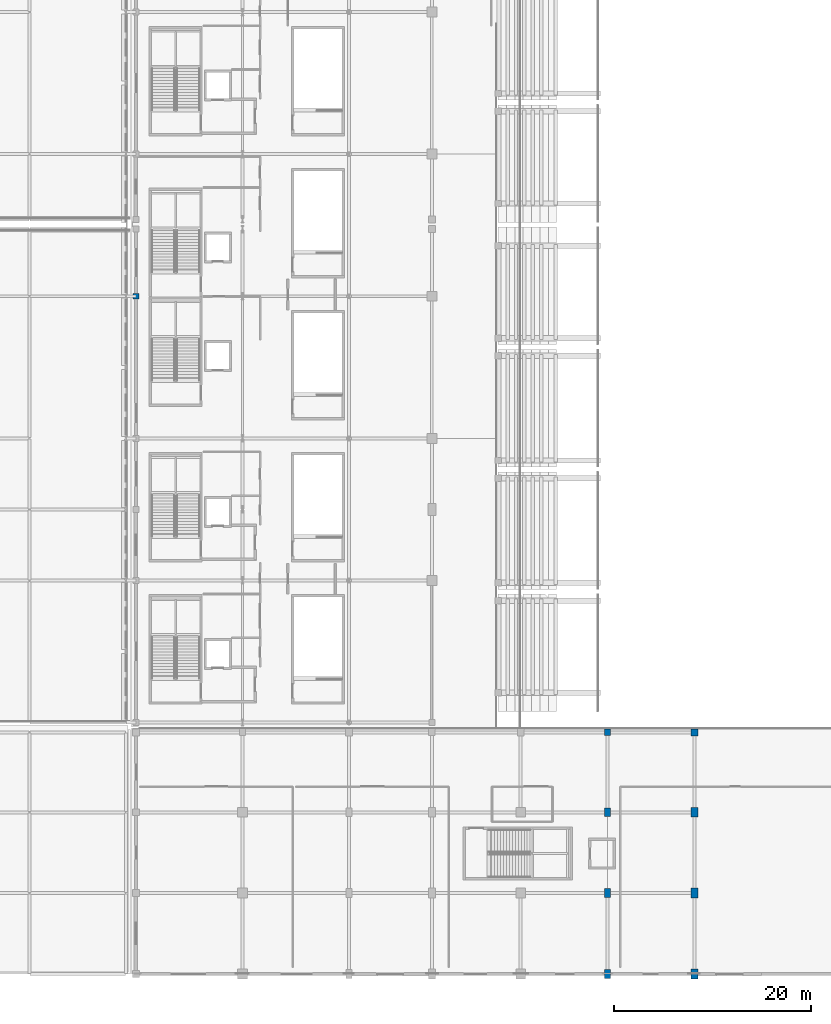
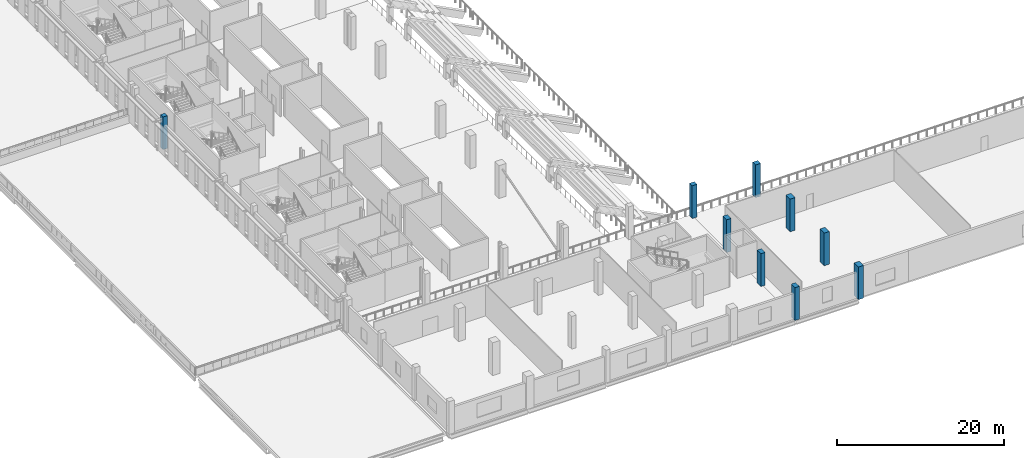
# One storey, part 3 of 74: 9 columns.
"""IFC4 building model written with IfcOpenShell, lengths in metres."""

from ifc_helpers import new_model, si_unit, direction, frame, origin, origin_2d, place, context, subcontext, project, spatial, rectangle, extrude, material, material_profile, profile_set, type_object, element, save


model = new_model("IFC4")

# Units and contexts
model_context = context("Model", 3, precision=1e-05, world=origin(), true_north=direction((0.0, 1.0)))
body_context = subcontext(model_context, "Body", "Model", "MODEL_VIEW")
ifc_project = project(units=[si_unit("LENGTHUNIT", "METRE"), si_unit("AREAUNIT", "SQUARE_METRE"), si_unit("VOLUMEUNIT", "CUBIC_METRE"), si_unit("PLANEANGLEUNIT", "RADIAN"), si_unit("MASSUNIT", "GRAM", prefix="KILO")], contexts=[model_context])

# Site, building, storey
site_placement = place(None, origin())
site = spatial("IfcSite", under=ifc_project, at=site_placement, CompositionType="ELEMENT")
building_placement = place(site_placement, origin())
building = spatial("IfcBuilding", under=site, at=building_placement, Name="Koshinbarg Plaza Stadium", CompositionType="ELEMENT")
storey_placement = place(building_placement, frame((0.0, 0.0, 15.0)))
storey = spatial("IfcBuildingStorey", under=building, at=storey_placement, Name="L03", CompositionType="ELEMENT", Elevation=15.0)

# Columns
ifc_material = material(Name="Concrete C40/50", Category="concrete")
ifc_material_profile_1 = material_profile(ifc_material, rectangle(XDim=0.60009765625, YDim=0.60009765625, at=origin_2d()), Name="RC 600x600")
ifc_profile_set_1 = profile_set([ifc_material_profile_1], Name="Concrete C40/50")
column_type_1 = type_object("IfcColumnType", Name="COL-RC-04", PredefinedType="COLUMN", material=ifc_profile_set_1)
column_1_placement = place(storey_placement, frame((24.60009765625, 68.699951171875, 0.0), z_axis=(0.0, 0.0, 1.0), x_axis=(1.0, 0.0, 0.0)))
element("IfcColumn", 1, at=column_1_placement, inside=storey, type_object=column_type_1, Name="L03 column 5/J", PredefinedType="COLUMN", context=body_context, shape_type="SweptSolid", body=[
    extrude(rectangle(XDim=0.60009765625, YDim=0.60009765625, at=origin_2d()), origin(), (0.0, 0.0, 1.0), 4.800048828125),
])
ifc_material_profile_2 = material_profile(ifc_material, rectangle(XDim=0.64990234375, YDim=0.64990234375, at=origin_2d()), Name="RC 650x650")
ifc_profile_set_2 = profile_set([ifc_material_profile_2], Name="Concrete C40/50")
column_type_2 = type_object("IfcColumnType", Name="COL-RC-05", PredefinedType="COLUMN", material=ifc_profile_set_2)
column_2_placement = place(storey_placement, frame((72.39990234375, 24.5, 0.0), z_axis=(0.0, 0.0, 1.0), x_axis=(1.0, 0.0, 0.0)))
element("IfcColumn", 2, at=column_2_placement, inside=storey, type_object=column_type_2, Name="L03 column 10/D", PredefinedType="COLUMN", context=body_context, shape_type="SweptSolid", body=[
    extrude(rectangle(XDim=0.64990234375, YDim=0.64990234375, at=origin_2d()), origin(), (0.0, 0.0, 1.0), 4.800048828125),
])
ifc_material_profile_3 = material_profile(ifc_material, rectangle(XDim=0.699951171875, YDim=0.699951171875, at=origin_2d()), Name="RC 700x700")
ifc_profile_set_3 = profile_set([ifc_material_profile_3], Name="Concrete C40/50")
column_type_3 = type_object("IfcColumnType", Name="COL-RC-06", PredefinedType="COLUMN", material=ifc_profile_set_3)
column_3_placement = place(storey_placement, frame((81.199951171875, 24.5, 0.0), z_axis=(0.0, 0.0, 1.0), x_axis=(1.0, 0.0, 0.0)))
element("IfcColumn", 3, at=column_3_placement, inside=storey, type_object=column_type_3, Name="L03 column 11/D", PredefinedType="COLUMN", context=body_context, shape_type="SweptSolid", body=[
    extrude(rectangle(XDim=0.699951171875, YDim=0.699951171875, at=origin_2d()), origin(), (0.0, 0.0, 1.0), 4.800048828125),
])
ifc_material_profile_4 = material_profile(ifc_material, rectangle(XDim=0.60009765625, YDim=0.89990234375, at=origin_2d()), Name="RC 600x900")
ifc_profile_set_4 = profile_set([ifc_material_profile_4], Name="Concrete C40/50")
column_type_4 = type_object("IfcColumnType", Name="COL-RC-12", PredefinedType="COLUMN", material=ifc_profile_set_4)
for number, where, z_axis, x_axis, name in (
    (4, (72.39990234375, 0.0, 0.0), (0.0, 0.0, 1.0), (1.0, 0.0, 0.0), "L03 column 10/A"),
    (5, (72.39990234375, 8.199951171875, 0.0), (0.0, 0.0, 1.0), (1.0, 0.0, 0.0), "L03 column 10/B"),
    (6, (72.39990234375, 16.39990234375, 0.0), (0.0, 0.0, 1.0), (1.0, 0.0, 0.0), "L03 column 10/C"),
):
    element("IfcColumn", number, at=place(storey_placement, frame(where, z_axis=z_axis, x_axis=x_axis)), inside=storey, type_object=column_type_4, Name=name, PredefinedType="COLUMN", context=body_context, shape_type="SweptSolid", body=[
        extrude(rectangle(XDim=0.60009765625, YDim=0.89990234375, at=origin_2d()), origin(), (0.0, 0.0, 1.0), 4.800048828125),
    ])
ifc_material_profile_5 = material_profile(ifc_material, rectangle(XDim=0.699951171875, YDim=1.0, at=origin_2d()), Name="RC 700x1000")
ifc_profile_set_5 = profile_set([ifc_material_profile_5], Name="Concrete C40/50")
column_type_5 = type_object("IfcColumnType", Name="COL-RC-13", PredefinedType="COLUMN", material=ifc_profile_set_5)
for number, where, z_axis, x_axis, name in (
    (7, (81.199951171875, 0.0, 0.0), (0.0, 0.0, 1.0), (1.0, 0.0, 0.0), "L03 column 11/A"),
    (8, (81.199951171875, 8.199951171875, 0.0), (0.0, 0.0, 1.0), (1.0, 0.0, 0.0), "L03 column 11/B"),
    (9, (81.199951171875, 16.39990234375, 0.0), (0.0, 0.0, 1.0), (1.0, 0.0, 0.0), "L03 column 11/C"),
):
    element("IfcColumn", number, at=place(storey_placement, frame(where, z_axis=z_axis, x_axis=x_axis)), inside=storey, type_object=column_type_5, Name=name, PredefinedType="COLUMN", context=body_context, shape_type="SweptSolid", body=[
        extrude(rectangle(XDim=0.699951171875, YDim=1.0, at=origin_2d()), origin(), (0.0, 0.0, 1.0), 4.800048828125),
    ])

save(model, "model.ifc")
